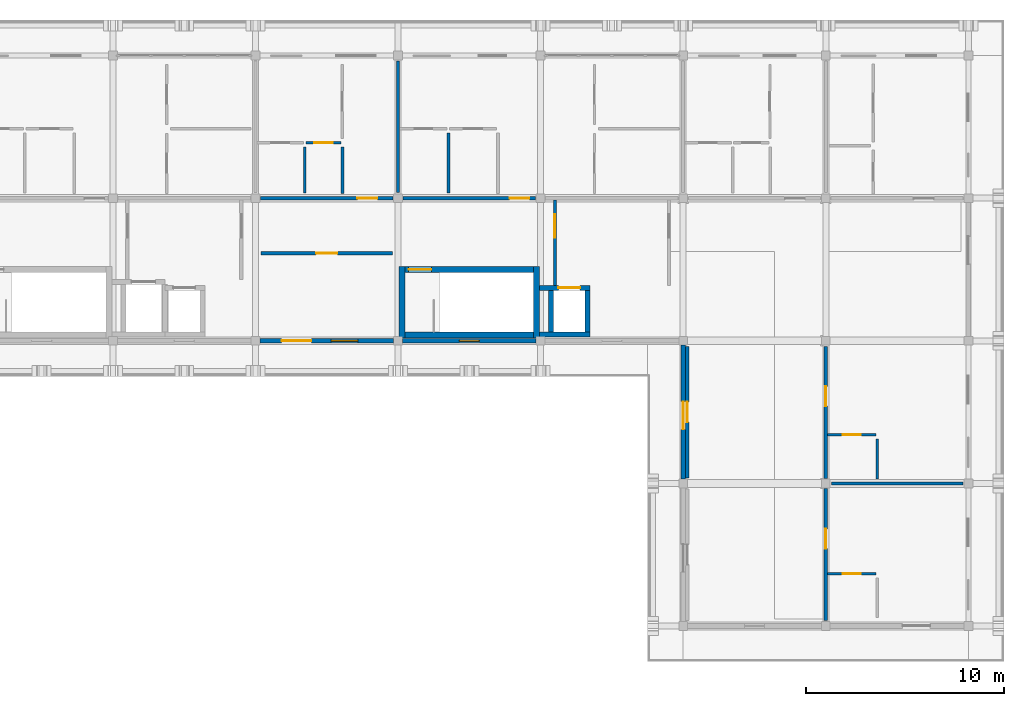
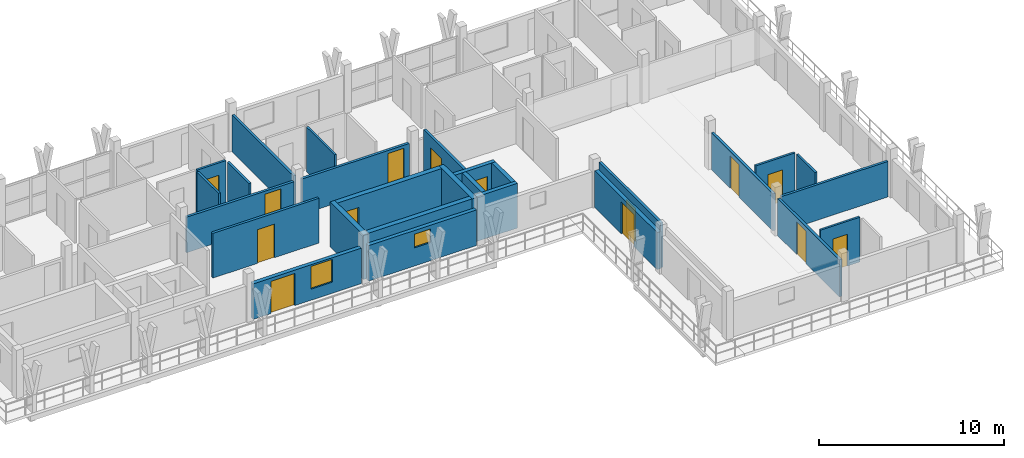
# One storey, part 24 of 32: 27 walls, 14 doors, 2 windows, 16 openings.
"""IFC4 building model written with IfcOpenShell, lengths in metres."""

from ifc_helpers import new_model, si_unit, direction, frame, frame_2d, origin, place, context, subcontext, project, spatial, rectangle, extrude, material, layer, layer_set, type_object, element, fill, save


model = new_model("IFC4")

# Units and contexts
model_context = context("Model", 3, precision=1e-05, world=origin(), true_north=direction((0.0, 1.0)))
body_context = subcontext(model_context, "Body", "Model", "MODEL_VIEW")
ifc_project = project(units=[si_unit("LENGTHUNIT", "METRE"), si_unit("AREAUNIT", "SQUARE_METRE"), si_unit("VOLUMEUNIT", "CUBIC_METRE"), si_unit("PLANEANGLEUNIT", "RADIAN"), si_unit("MASSUNIT", "GRAM", prefix="KILO")], contexts=[model_context])

# Site, building, storey
site_placement = place(None, origin())
site = spatial("IfcSite", under=ifc_project, at=site_placement, CompositionType="ELEMENT")
building_placement = place(site_placement, origin())
building = spatial("IfcBuilding", under=site, at=building_placement, Name="Suanplinth Sawtooth Commons", CompositionType="ELEMENT")
storey_placement = place(building_placement, frame((0.0, 0.0, 41.199951171875)))
storey = spatial("IfcBuildingStorey", under=building, at=storey_placement, Name="L12", CompositionType="ELEMENT", Elevation=41.199951171875)

# Wall
ifc_material_1 = material(Name="Concrete C40/50", Category="concrete")
ifc_layer_1 = layer(ifc_material_1, 0.300048828125, Name="Standard RC stair and lift core wall 300mm")
ifc_layer_set_1 = layer_set([ifc_layer_1], Name="Concrete C40/50")
wall_type_1 = type_object("IfcWallType", Name="W-CR02", PredefinedType="SHEAR", material=ifc_layer_set_1)
wall_1_placement = place(storey_placement, frame((158.75, 108.300048828125, 0.0), z_axis=(0.0, 0.0, 1.0), x_axis=(1.0, 0.0, 0.0)))
element("IfcWall", 1, at=wall_1_placement, inside=storey, type_object=wall_type_1, Name="W-L12-C-B2-STS", PredefinedType="SHEAR", context=body_context, shape_type="SweptSolid", body=[
    extrude(rectangle(XDim=6.5, YDim=0.300048828125, at=frame_2d((3.25, 0.0))), origin(), (0.0, 0.0, 1.0), 2.949951171875),
])

# Wall, opening, door
wall_2_placement = place(storey_placement, frame((158.75, 111.60009765625, 0.0), z_axis=(0.0, 0.0, 1.0), x_axis=(1.0, 0.0, 0.0)))
wall_2 = element("IfcWall", 2, at=wall_2_placement, inside=storey, type_object=wall_type_1, Name="W-L12-C-B2-STN", PredefinedType="SHEAR", context=body_context, shape_type="SweptSolid", body=[
    extrude(rectangle(XDim=6.5, YDim=0.300048828125, at=frame_2d((3.25, 0.0))), origin(), (0.0, 0.0, 1.0), 2.949951171875),
])
opening_1_placement = place(wall_2_placement, frame((0.179931640625, 0.0, 0.0)))
opening_1 = element("IfcOpeningElement", 3, at=opening_1_placement, cuts=wall_2, Name="Opening FD0272", PredefinedType="OPENING", context=body_context, shape_type="SweptSolid", body=[
    extrude(rectangle(XDim=1.14990234375, YDim=2.199951171875, at=frame_2d((0.574951171875, 1.10009765625))), frame((0.0, 0.1650390625, 0.0), z_axis=(0.0, -1.0, 0.0), x_axis=(1.0, 0.0, 0.0)), (0.0, 0.0, 1.0), 0.329833984375),
])
ifc_material_2 = material(Name="Teak hardwood fire-rated door assembly", Category="wood")
door_type_1 = type_object("IfcDoorType", Name="FD-01", OperationType="NOTDEFINED", PredefinedType="DOOR", material=ifc_material_2)
door_1_placement = place(opening_1_placement, frame((1.14990234375, 0.0, 0.0), z_axis=(0.0, 0.0, 1.0), x_axis=(-1.0, 0.0, 0.0)))
door_1 = element("IfcDoor", 4, at=door_1_placement, inside=storey, type_object=door_type_1, Name="Exit Stair Fire Door FD0272", OperationType="SINGLE_SWING_RIGHT", OverallHeight=2.199951171875, OverallWidth=1.14990234375, PredefinedType="DOOR", context=body_context, shape_type="SweptSolid", body=[
    extrude(rectangle(XDim=1.14990234375, YDim=2.199951171875, at=frame_2d((0.574951171875, 1.10009765625))), frame((0.0, 0.02490234375, 0.0), z_axis=(0.0, -1.0, 0.0), x_axis=(1.0, 0.0, 0.0)), (0.0, 0.0, 1.0), 0.050048828125),
])
fill(opening_1, door_1)

# Walls
for number, where, z_axis, x_axis, name in (
    (5, (158.60009765625, 108.14990234375, 0.0), (0.0, 0.0, 1.0), (0.0, 1.0, 0.0), "W-L12-C-B2-STW"),
    (6, (165.39990234375, 108.14990234375, 0.0), (0.0, 0.0, 1.0), (0.0, 1.0, 0.0), "W-L12-C-B2-STE"),
):
    element("IfcWall", number, at=place(storey_placement, frame(where, z_axis=z_axis, x_axis=x_axis)), inside=storey, type_object=wall_type_1, Name=name, PredefinedType="SHEAR", context=body_context, shape_type="SweptSolid", body=[
        extrude(rectangle(XDim=3.60009765625, YDim=0.300048828125, at=frame_2d((1.800048828125, 0.0))), origin(), (0.0, 0.0, 1.0), 2.949951171875),
    ])

# Wall, openings, door, window
ifc_material_3 = material(Name="Precast concrete C40/50", Category="concrete")
ifc_layer_2 = layer(ifc_material_3, 0.239990234375, Name="Upper insulated precast facade wall 240mm")
ifc_layer_set_2 = layer_set([ifc_layer_2], Name="Precast concrete C40/50")
wall_type_2 = type_object("IfcWallType", Name="W-EX03", PredefinedType="ELEMENTEDWALL", material=ifc_layer_set_2)
wall_3_placement = place(storey_placement, frame((151.425048828125, 108.0, 0.0), z_axis=(0.0, 0.0, 1.0), x_axis=(1.0, 0.0, 0.0)))
wall_3 = element("IfcWall", 7, at=wall_3_placement, inside=storey, type_object=wall_type_2, Name="Facade Wall W-L12-B-S-21-15", PredefinedType="ELEMENTEDWALL", context=body_context, shape_type="SweptSolid", body=[
    extrude(rectangle(XDim=6.75, YDim=0.239990234375, at=frame_2d((3.375, 0.0))), origin(), (0.0, 0.0, 1.0), 2.344970703125),
])
opening_2_placement = place(wall_3_placement, frame((1.10009765625, 0.0, 0.0)))
opening_2 = element("IfcOpeningElement", 8, at=opening_2_placement, cuts=wall_3, Name="Opening ED0821", PredefinedType="OPENING", context=body_context, shape_type="SweptSolid", body=[
    extrude(rectangle(XDim=1.5, YDim=2.1201171875, at=frame_2d((0.75, 1.06005859375))), frame((0.0, 0.134765625, 0.0), z_axis=(0.0, -1.0, 0.0), x_axis=(1.0, 0.0, 0.0)), (0.0, 0.0, 1.0), 0.269775390625),
])
opening_3_placement = place(wall_3_placement, frame((3.60009765625, 0.0, 0.735107421875)))
opening_3 = element("IfcOpeningElement", 9, at=opening_3_placement, cuts=wall_3, Name="Opening W0906", PredefinedType="OPENING", context=body_context, shape_type="SweptSolid", body=[
    extrude(rectangle(XDim=1.35009765625, YDim=1.5, at=frame_2d((0.675048828125, 0.75))), frame((0.0, 0.134765625, 0.0), z_axis=(0.0, -1.0, 0.0), x_axis=(1.0, 0.0, 0.0)), (0.0, 0.0, 1.0), 0.269775390625),
])
ifc_material_4 = material(Name="Anodized aluminium and low-E glass", Category="aluminium")
door_type_2 = type_object("IfcDoorType", Name="SD-03", OperationType="SLIDING_TO_LEFT", PredefinedType="DOOR", material=ifc_material_4)
door_2_placement = place(opening_2_placement, frame((1.5, 0.0, 0.0), z_axis=(0.0, 0.0, 1.0), x_axis=(-1.0, 0.0, 0.0)))
door_2 = element("IfcDoor", 10, at=door_2_placement, inside=storey, type_object=door_type_2, Name="Courtyard Balcony Door L12-B-21", OperationType="SLIDING_TO_LEFT", OverallHeight=2.1201171875, OverallWidth=1.5, PredefinedType="DOOR", context=body_context, shape_type="SweptSolid", body=[
    extrude(rectangle(XDim=1.5, YDim=2.1201171875, at=frame_2d((0.75, 1.06005859375))), frame((0.0, 0.02490234375, 0.0), z_axis=(0.0, -1.0, 0.0), x_axis=(1.0, 0.0, 0.0)), (0.0, 0.0, 1.0), 0.050048828125),
])
fill(opening_2, door_2)
ifc_material_5 = material(Name="Thermally broken aluminium and low-E double glazing", Category="aluminium")
window_type_1 = type_object("IfcWindowType", Name="WN-14", PartitioningType="SINGLE_PANEL", PredefinedType="WINDOW", material=ifc_material_5)
window_1_placement = place(opening_3_placement, origin())
window_1 = element("IfcWindow", 11, at=window_1_placement, inside=storey, type_object=window_type_1, Name="Courtyard Window L12-B-21", OverallHeight=1.5, OverallWidth=1.35009765625, PartitioningType="SINGLE_PANEL", PredefinedType="WINDOW", context=body_context, shape_type="SweptSolid", body=[
    extrude(rectangle(XDim=1.35009765625, YDim=1.5, at=frame_2d((0.675048828125, 0.75))), frame((0.0, 0.030029296875, 0.0), z_axis=(0.0, -1.0, 0.0), x_axis=(1.0, 0.0, 0.0)), (0.0, 0.0, 1.0), 0.06005859375),
])
fill(opening_3, window_1)

# Wall, opening, window
wall_4_placement = place(storey_placement, frame((158.625, 108.0, 0.0), z_axis=(0.0, 0.0, 1.0), x_axis=(1.0, 0.0, 0.0)))
wall_4 = element("IfcWall", 12, at=wall_4_placement, inside=storey, type_object=wall_type_2, Name="Facade Wall W-L12-B-S-22-15", PredefinedType="ELEMENTEDWALL", context=body_context, shape_type="SweptSolid", body=[
    extrude(rectangle(XDim=6.75, YDim=0.239990234375, at=frame_2d((3.375, 0.0))), origin(), (0.0, 0.0, 1.0), 2.344970703125),
])
opening_4_placement = place(wall_4_placement, frame((2.875, 0.0, 1.199951171875)))
opening_4 = element("IfcOpeningElement", 13, at=opening_4_placement, cuts=wall_4, Name="Opening W0908", PredefinedType="OPENING", context=body_context, shape_type="SweptSolid", body=[
    extrude(rectangle(XDim=1.0, YDim=0.89990234375, at=frame_2d((0.5, 0.449951171875))), frame((0.0, 0.134765625, 0.0), z_axis=(0.0, -1.0, 0.0), x_axis=(1.0, 0.0, 0.0)), (0.0, 0.0, 1.0), 0.269775390625),
])
window_type_2 = type_object("IfcWindowType", Name="WN-12", PartitioningType="SINGLE_PANEL", PredefinedType="WINDOW", material=ifc_material_5)
window_2_placement = place(opening_4_placement, origin())
window_2 = element("IfcWindow", 14, at=window_2_placement, inside=storey, type_object=window_type_2, Name="Core Daylight Window L12-B-22-15", OverallHeight=0.89990234375, OverallWidth=1.0, PartitioningType="SINGLE_PANEL", PredefinedType="WINDOW", context=body_context, shape_type="SweptSolid", body=[
    extrude(rectangle(XDim=1.0, YDim=0.89990234375, at=frame_2d((0.5, 0.449951171875))), frame((0.0, 0.030029296875, 0.0), z_axis=(0.0, -1.0, 0.0), x_axis=(1.0, 0.0, 0.0)), (0.0, 0.0, 1.0), 0.06005859375),
])
fill(opening_4, window_2)

# Wall, opening, door
wall_5_placement = place(storey_placement, frame((172.800048828125, 101.02490234375, 0.0), z_axis=(0.0, 0.0, 1.0), x_axis=(0.0, 1.0, 0.0)))
wall_5 = element("IfcWall", 15, at=wall_5_placement, inside=storey, type_object=wall_type_2, Name="Facade Wall W-L12-B-W-24-14", PredefinedType="ELEMENTEDWALL", context=body_context, shape_type="SweptSolid", body=[
    extrude(rectangle(XDim=6.75, YDim=0.239990234375, at=frame_2d((3.375, 0.0))), origin(), (0.0, 0.0, 1.0), 2.445068359375),
])
opening_5_placement = place(wall_5_placement, frame((2.5, 0.0, 0.0)))
opening_5 = element("IfcOpeningElement", 16, at=opening_5_placement, cuts=wall_5, Name="Opening ED0825", PredefinedType="OPENING", context=body_context, shape_type="SweptSolid", body=[
    extrude(rectangle(XDim=1.39990234375, YDim=2.10009765625, at=frame_2d((0.699951171875, 1.050048828125))), frame((0.0, 0.134765625, 0.0), z_axis=(0.0, -1.0, 0.0), x_axis=(1.0, 0.0, 0.0)), (0.0, 0.0, 1.0), 0.269775390625),
])
door_type_3 = type_object("IfcDoorType", Name="SD-07", OperationType="SLIDING_TO_RIGHT", PredefinedType="DOOR", material=ifc_material_4)
door_3_placement = place(opening_5_placement, frame((1.39990234375, 0.0, 0.0), z_axis=(0.0, 0.0, 1.0), x_axis=(-1.0, 0.0, 0.0)))
door_3 = element("IfcDoor", 17, at=door_3_placement, inside=storey, type_object=door_type_3, Name="Courtyard Veranda Studio Balcony Door L12-B-14", OperationType="SLIDING_TO_RIGHT", OverallHeight=2.10009765625, OverallWidth=1.39990234375, PredefinedType="DOOR", context=body_context, shape_type="SweptSolid", body=[
    extrude(rectangle(XDim=1.39990234375, YDim=2.10009765625, at=frame_2d((0.699951171875, 1.050048828125))), frame((0.0, 0.02490234375, 0.0), z_axis=(0.0, -1.0, 0.0), x_axis=(1.0, 0.0, 0.0)), (0.0, 0.0, 1.0), 0.050048828125),
])
fill(opening_5, door_3)

ifc_layer_3 = layer(ifc_material_3, 0.159912109375, Name="Fire-rated corridor and lobby wall 160mm")
ifc_layer_set_3 = layer_set([ifc_layer_3], Name="Precast concrete C40/50")
wall_type_3 = type_object("IfcWallType", Name="W-FW01", PredefinedType="PARTITIONING", material=ifc_layer_set_3)
wall_6_placement = place(storey_placement, frame((166.320068359375, 110.800048828125, 0.0), z_axis=(0.0, 0.0, 1.0), x_axis=(0.0, 1.0, 0.0)))
wall_6 = element("IfcWall", 18, at=wall_6_placement, inside=storey, type_object=wall_type_3, Name="W-L12-C-B2-LOB-W", PredefinedType="PARTITIONING", context=body_context, shape_type="SweptSolid", body=[
    extrude(rectangle(XDim=4.320068359375, YDim=0.159912109375, at=frame_2d((2.16015625, 0.0))), origin(), (0.0, 0.0, 1.0), 2.949951171875),
])
opening_6_placement = place(wall_6_placement, frame((2.39990234375, 0.0, 0.0)))
opening_6 = element("IfcOpeningElement", 19, at=opening_6_placement, cuts=wall_6, Name="Opening FD0273", PredefinedType="OPENING", context=body_context, shape_type="SweptSolid", body=[
    extrude(rectangle(XDim=1.199951171875, YDim=2.199951171875, at=frame_2d((0.60009765625, 1.10009765625))), frame((0.0, 0.0947265625, 0.0), z_axis=(0.0, -1.0, 0.0), x_axis=(1.0, 0.0, 0.0)), (0.0, 0.0, 1.0), 0.189697265625),
])
door_type_4 = type_object("IfcDoorType", Name="FD-02", OperationType="NOTDEFINED", PredefinedType="DOOR", material=ifc_material_2)
door_4_placement = place(opening_6_placement, origin())
door_4 = element("IfcDoor", 20, at=door_4_placement, inside=storey, type_object=door_type_4, Name="Lobby Fire Door FD0273", OperationType="SINGLE_SWING_LEFT", OverallHeight=2.199951171875, OverallWidth=1.199951171875, PredefinedType="DOOR", context=body_context, shape_type="SweptSolid", body=[
    extrude(rectangle(XDim=1.199951171875, YDim=2.199951171875, at=frame_2d((0.60009765625, 1.10009765625))), frame((0.0, 0.02490234375, 0.0), z_axis=(0.0, -1.0, 0.0), x_axis=(1.0, 0.0, 0.0)), (0.0, 0.0, 1.0), 0.050048828125),
])
fill(opening_6, door_4)

wall_7_placement = place(storey_placement, frame((151.455078125, 115.199951171875, 0.0), z_axis=(0.0, 0.0, 1.0), x_axis=(1.0, 0.0, 0.0)))
wall_7 = element("IfcWall", 21, at=wall_7_placement, inside=storey, type_object=wall_type_3, Name="W-B-L12-U02-COR", PredefinedType="PARTITIONING", context=body_context, shape_type="SweptSolid", body=[
    extrude(rectangle(XDim=6.68994140625, YDim=0.159912109375, at=frame_2d((3.344970703125, 0.0))), origin(), (0.0, 0.0, 1.0), 2.344970703125),
])
opening_7_placement = place(wall_7_placement, frame((4.89501953125, 0.0, 0.0)))
opening_7 = element("IfcOpeningElement", 22, at=opening_7_placement, cuts=wall_7, Name="Opening FD2015", PredefinedType="OPENING", context=body_context, shape_type="SweptSolid", body=[
    extrude(rectangle(XDim=1.0, YDim=2.14990234375, at=frame_2d((0.5, 1.074951171875))), frame((0.0, 0.0947265625, 0.0), z_axis=(0.0, -1.0, 0.0), x_axis=(1.0, 0.0, 0.0)), (0.0, 0.0, 1.0), 0.189697265625),
])
door_type_5 = type_object("IfcDoorType", Name="FD-03", OperationType="NOTDEFINED", PredefinedType="DOOR", material=ifc_material_2)
door_5_placement = place(opening_7_placement, origin())
door_5 = element("IfcDoor", 23, at=door_5_placement, inside=storey, type_object=door_type_5, Name="Unit Entrance Door FD2015", OperationType="SINGLE_SWING_LEFT", OverallHeight=2.14990234375, OverallWidth=1.0, PredefinedType="DOOR", context=body_context, shape_type="SweptSolid", body=[
    extrude(rectangle(XDim=1.0, YDim=2.14990234375, at=frame_2d((0.5, 1.074951171875))), frame((0.0, 0.02490234375, 0.0), z_axis=(0.0, -1.0, 0.0), x_axis=(1.0, 0.0, 0.0)), (0.0, 0.0, 1.0), 0.050048828125),
])
fill(opening_7, door_5)

wall_8_placement = place(storey_placement, frame((158.655029296875, 115.199951171875, 0.0), z_axis=(0.0, 0.0, 1.0), x_axis=(1.0, 0.0, 0.0)))
wall_8 = element("IfcWall", 24, at=wall_8_placement, inside=storey, type_object=wall_type_3, Name="W-B-L12-U03-COR-S1", PredefinedType="PARTITIONING", context=body_context, shape_type="SweptSolid", body=[
    extrude(rectangle(XDim=6.68994140625, YDim=0.159912109375, at=frame_2d((3.344970703125, 0.0))), origin(), (0.0, 0.0, 1.0), 2.344970703125),
])
opening_8_placement = place(wall_8_placement, frame((5.375, 0.0, 0.0)))
opening_8 = element("IfcOpeningElement", 25, at=opening_8_placement, cuts=wall_8, Name="Opening FD2019", PredefinedType="OPENING", context=body_context, shape_type="SweptSolid", body=[
    extrude(rectangle(XDim=1.0, YDim=2.14990234375, at=frame_2d((0.5, 1.074951171875))), frame((0.0, 0.0947265625, 0.0), z_axis=(0.0, -1.0, 0.0), x_axis=(1.0, 0.0, 0.0)), (0.0, 0.0, 1.0), 0.189697265625),
])
door_6_placement = place(opening_8_placement, origin())
door_6 = element("IfcDoor", 26, at=door_6_placement, inside=storey, type_object=door_type_5, Name="Unit Entrance Door FD2019", OperationType="SINGLE_SWING_LEFT", OverallHeight=2.14990234375, OverallWidth=1.0, PredefinedType="DOOR", context=body_context, shape_type="SweptSolid", body=[
    extrude(rectangle(XDim=1.0, YDim=2.14990234375, at=frame_2d((0.5, 1.074951171875))), frame((0.0, 0.02490234375, 0.0), z_axis=(0.0, -1.0, 0.0), x_axis=(1.0, 0.0, 0.0)), (0.0, 0.0, 1.0), 0.050048828125),
])
fill(opening_8, door_6)

wall_9_placement = place(storey_placement, frame((151.47998046875, 112.419921875, 0.0), z_axis=(0.0, 0.0, 1.0), x_axis=(1.0, 0.0, 0.0)))
wall_9 = element("IfcWall", 27, at=wall_9_placement, inside=storey, type_object=wall_type_3, Name="W-B-L12-COURTROOM-16-COR", PredefinedType="PARTITIONING", context=body_context, shape_type="SweptSolid", body=[
    extrude(rectangle(XDim=6.64013671875, YDim=0.159912109375, at=frame_2d((3.320068359375, 0.0))), origin(), (0.0, 0.0, 1.0), 2.949951171875),
])
opening_9_placement = place(wall_9_placement, frame((2.780029296875, 0.0, 0.0)))
opening_9 = element("IfcOpeningElement", 28, at=opening_9_placement, cuts=wall_9, Name="Opening D2031", PredefinedType="OPENING", context=body_context, shape_type="SweptSolid", body=[
    extrude(rectangle(XDim=1.080078125, YDim=2.219970703125, at=frame_2d((0.5400390625, 1.10986328125))), frame((0.0, 0.0947265625, 0.0), z_axis=(0.0, -1.0, 0.0), x_axis=(1.0, 0.0, 0.0)), (0.0, 0.0, 1.0), 0.189697265625),
])
ifc_material_6 = material(Name="Teak hardwood", Category="wood")
door_type_6 = type_object("IfcDoorType", Name="D-17", OperationType="NOTDEFINED", PredefinedType="DOOR", material=ifc_material_6)
door_7_placement = place(opening_9_placement, frame((1.080078125, 0.0, 0.0), z_axis=(0.0, 0.0, 1.0), x_axis=(-1.0, 0.0, 0.0)))
door_7 = element("IfcDoor", 29, at=door_7_placement, inside=storey, type_object=door_type_6, Name="Study Studio Door D2031", OperationType="SINGLE_SWING_LEFT", OverallHeight=2.219970703125, OverallWidth=1.080078125, PredefinedType="DOOR", context=body_context, shape_type="SweptSolid", body=[
    extrude(rectangle(XDim=1.080078125, YDim=2.219970703125, at=frame_2d((0.5400390625, 1.10986328125))), frame((0.0, 0.02490234375, 0.0), z_axis=(0.0, -1.0, 0.0), x_axis=(1.0, 0.0, 0.0)), (0.0, 0.0, 1.0), 0.050048828125),
])
fill(opening_9, door_7)

wall_10_placement = place(storey_placement, frame((180.0, 93.8798828125, 0.0), z_axis=(0.0, 0.0, 1.0), x_axis=(0.0, 1.0, 0.0)))
wall_10 = element("IfcWall", 30, at=wall_10_placement, inside=storey, type_object=wall_type_3, Name="W-B-L12-L01-COR", PredefinedType="PARTITIONING", context=body_context, shape_type="SweptSolid", body=[
    extrude(rectangle(XDim=6.6650390625, YDim=0.159912109375, at=frame_2d((3.33251953125, 0.0))), origin(), (0.0, 0.0, 1.0), 2.445068359375),
])
opening_10_placement = place(wall_10_placement, frame((3.6201171875, 0.0, 0.0)))
opening_10 = element("IfcOpeningElement", 31, at=opening_10_placement, cuts=wall_10, Name="Opening FD2032", PredefinedType="OPENING", context=body_context, shape_type="SweptSolid", body=[
    extrude(rectangle(XDim=1.0, YDim=2.14990234375, at=frame_2d((0.5, 1.074951171875))), frame((0.0, 0.0947265625, 0.0), z_axis=(0.0, -1.0, 0.0), x_axis=(1.0, 0.0, 0.0)), (0.0, 0.0, 1.0), 0.189697265625),
])
door_8_placement = place(opening_10_placement, frame((1.0, 0.0, 0.0), z_axis=(0.0, 0.0, 1.0), x_axis=(-1.0, 0.0, 0.0)))
door_8 = element("IfcDoor", 32, at=door_8_placement, inside=storey, type_object=door_type_5, Name="Wing Unit Entrance Door FD2032", OperationType="SINGLE_SWING_RIGHT", OverallHeight=2.14990234375, OverallWidth=1.0, PredefinedType="DOOR", context=body_context, shape_type="SweptSolid", body=[
    extrude(rectangle(XDim=1.0, YDim=2.14990234375, at=frame_2d((0.5, 1.074951171875))), frame((0.0, 0.02490234375, 0.0), z_axis=(0.0, -1.0, 0.0), x_axis=(1.0, 0.0, 0.0)), (0.0, 0.0, 1.0), 0.050048828125),
])
fill(opening_10, door_8)

wall_11_placement = place(storey_placement, frame((180.0, 101.054931640625, 0.0), z_axis=(0.0, 0.0, 1.0), x_axis=(0.0, 1.0, 0.0)))
wall_11 = element("IfcWall", 33, at=wall_11_placement, inside=storey, type_object=wall_type_3, Name="W-B-L12-L02-COR", PredefinedType="PARTITIONING", context=body_context, shape_type="SweptSolid", body=[
    extrude(rectangle(XDim=6.6650390625, YDim=0.159912109375, at=frame_2d((3.33251953125, 0.0))), origin(), (0.0, 0.0, 1.0), 2.445068359375),
])
opening_11_placement = place(wall_11_placement, frame((3.64501953125, 0.0, 0.0)))
opening_11 = element("IfcOpeningElement", 34, at=opening_11_placement, cuts=wall_11, Name="Opening FD2035", PredefinedType="OPENING", context=body_context, shape_type="SweptSolid", body=[
    extrude(rectangle(XDim=1.0, YDim=2.14990234375, at=frame_2d((0.5, 1.074951171875))), frame((0.0, 0.0947265625, 0.0), z_axis=(0.0, -1.0, 0.0), x_axis=(1.0, 0.0, 0.0)), (0.0, 0.0, 1.0), 0.189697265625),
])
door_9_placement = place(opening_11_placement, frame((1.0, 0.0, 0.0), z_axis=(0.0, 0.0, 1.0), x_axis=(-1.0, 0.0, 0.0)))
door_9 = element("IfcDoor", 35, at=door_9_placement, inside=storey, type_object=door_type_5, Name="Wing Unit Entrance Door FD2035", OperationType="SINGLE_SWING_LEFT", OverallHeight=2.14990234375, OverallWidth=1.0, PredefinedType="DOOR", context=body_context, shape_type="SweptSolid", body=[
    extrude(rectangle(XDim=1.0, YDim=2.14990234375, at=frame_2d((0.5, 1.074951171875))), frame((0.0, 0.02490234375, 0.0), z_axis=(0.0, -1.0, 0.0), x_axis=(1.0, 0.0, 0.0)), (0.0, 0.0, 1.0), 0.050048828125),
])
fill(opening_11, door_9)

wall_12_placement = place(storey_placement, frame((173.0, 101.080078125, 0.0), z_axis=(0.0, 0.0, 1.0), x_axis=(0.0, 1.0, 0.0)))
wall_12 = element("IfcWall", 36, at=wall_12_placement, inside=storey, type_object=wall_type_3, Name="W-B-L12-LEGCOURTROOM-20-COR", PredefinedType="PARTITIONING", context=body_context, shape_type="SweptSolid", body=[
    extrude(rectangle(XDim=6.639892578125, YDim=0.159912109375, at=frame_2d((3.31982421875, 0.0))), origin(), (0.0, 0.0, 1.0), 2.949951171875),
])
opening_12_placement = place(wall_12_placement, frame((2.81005859375, 0.0, 0.0)))
opening_12 = element("IfcOpeningElement", 37, at=opening_12_placement, cuts=wall_12, Name="Opening D2037", PredefinedType="OPENING", context=body_context, shape_type="SweptSolid", body=[
    extrude(rectangle(XDim=1.02001953125, YDim=2.179931640625, at=frame_2d((0.510009765625, 1.08984375))), frame((0.0, 0.0947265625, 0.0), z_axis=(0.0, -1.0, 0.0), x_axis=(1.0, 0.0, 0.0)), (0.0, 0.0, 1.0), 0.189697265625),
])
door_type_7 = type_object("IfcDoorType", Name="D-16", OperationType="NOTDEFINED", PredefinedType="DOOR", material=ifc_material_6)
door_10_placement = place(opening_12_placement, origin())
door_10 = element("IfcDoor", 38, at=door_10_placement, inside=storey, type_object=door_type_7, Name="Veranda Studio Door D2037", OperationType="SINGLE_SWING_LEFT", OverallHeight=2.179931640625, OverallWidth=1.02001953125, PredefinedType="DOOR", context=body_context, shape_type="SweptSolid", body=[
    extrude(rectangle(XDim=1.02001953125, YDim=2.179931640625, at=frame_2d((0.510009765625, 1.08984375))), frame((0.0, 0.02490234375, 0.0), z_axis=(0.0, -1.0, 0.0), x_axis=(1.0, 0.0, 0.0)), (0.0, 0.0, 1.0), 0.050048828125),
])
fill(opening_12, door_10)

# Walls
ifc_layer_4 = layer(ifc_material_3, 0.14990234375, Name="Acoustic precast party demising wall 150mm")
ifc_layer_set_4 = layer_set([ifc_layer_4], Name="Precast concrete C40/50")
wall_type_4 = type_object("IfcWallType", Name="W-FW02", PredefinedType="PARTITIONING", material=ifc_layer_set_4)
wall_13_placement = place(storey_placement, frame((158.39990234375, 115.47998046875, 0.0), z_axis=(0.0, 0.0, 1.0), x_axis=(0.0, 1.0, 0.0)))
element("IfcWall", 39, at=wall_13_placement, inside=storey, type_object=wall_type_4, Name="W-B-L12-U02-PTY", PredefinedType="PARTITIONING", context=body_context, shape_type="SweptSolid", body=[
    extrude(rectangle(XDim=6.64013671875, YDim=0.14990234375, at=frame_2d((3.320068359375, 0.0))), origin(), (0.0, 0.0, 1.0), 2.445068359375),
])
wall_14_placement = place(storey_placement, frame((180.280029296875, 100.800048828125, 0.0), z_axis=(0.0, 0.0, 1.0), x_axis=(1.0, 0.0, 0.0)))
element("IfcWall", 40, at=wall_14_placement, inside=storey, type_object=wall_type_4, Name="W-B-L12-L01-PTY", PredefinedType="PARTITIONING", context=body_context, shape_type="SweptSolid", body=[
    extrude(rectangle(XDim=6.639892578125, YDim=0.14990234375, at=frame_2d((3.31982421875, 0.0))), origin(), (0.0, 0.0, 1.0), 2.344970703125),
])

# Wall, opening, door
ifc_material_7 = material(Name="Gypsum plasterboard on steel stud", Category="steel")
ifc_layer_5 = layer(ifc_material_7, 0.139892578125, Name="Fire-rated kitchen partition 140mm")
ifc_layer_set_5 = layer_set([ifc_layer_5], Name="Gypsum plasterboard on steel stud")
wall_type_5 = type_object("IfcWallType", Name="W-PT01", PredefinedType="PARTITIONING", material=ifc_layer_set_5)
wall_15_placement = place(storey_placement, frame((153.75, 118.0, 0.0), z_axis=(0.0, 0.0, 1.0), x_axis=(1.0, 0.0, 0.0)))
wall_15 = element("IfcWall", 41, at=wall_15_placement, inside=storey, type_object=wall_type_5, Name="W-B-L12-U02-KIT1", PredefinedType="PARTITIONING", context=body_context, shape_type="SweptSolid", body=[
    extrude(rectangle(XDim=1.77001953125, YDim=0.139892578125, at=frame_2d((0.885009765625, 0.0))), origin(), (0.0, 0.0, 1.0), 2.949951171875),
])
opening_13_placement = place(wall_15_placement, frame((0.419921875, 0.0, 0.0)))
opening_13 = element("IfcOpeningElement", 42, at=opening_13_placement, cuts=wall_15, Name="Opening D2017", PredefinedType="OPENING", context=body_context, shape_type="SweptSolid", body=[
    extrude(rectangle(XDim=0.929931640625, YDim=2.139892578125, at=frame_2d((0.46484375, 1.06982421875))), frame((0.0, 0.0849609375, 0.0), z_axis=(0.0, -1.0, 0.0), x_axis=(1.0, 0.0, 0.0)), (0.0, 0.0, 1.0), 0.169677734375),
])
door_type_8 = type_object("IfcDoorType", Name="D-19", OperationType="NOTDEFINED", PredefinedType="DOOR", material=ifc_material_6)
door_11_placement = place(opening_13_placement, frame((0.929931640625, 0.0, 0.0), z_axis=(0.0, 0.0, 1.0), x_axis=(-1.0, 0.0, 0.0)))
door_11 = element("IfcDoor", 43, at=door_11_placement, inside=storey, type_object=door_type_8, Name="Kitchen Door D2017", OperationType="SINGLE_SWING_LEFT", OverallHeight=2.139892578125, OverallWidth=0.929931640625, PredefinedType="DOOR", context=body_context, shape_type="SweptSolid", body=[
    extrude(rectangle(XDim=0.929931640625, YDim=2.139892578125, at=frame_2d((0.46484375, 1.06982421875))), frame((0.0, 0.02490234375, 0.0), z_axis=(0.0, -1.0, 0.0), x_axis=(1.0, 0.0, 0.0)), (0.0, 0.0, 1.0), 0.050048828125),
])
fill(opening_13, door_11)

# Walls
wall_16_placement = place(storey_placement, frame((155.590087890625, 115.429931640625, 0.0), z_axis=(0.0, 0.0, 1.0), x_axis=(0.0, 1.0, 0.0)))
element("IfcWall", 44, at=wall_16_placement, inside=storey, type_object=wall_type_5, Name="W-B-L12-U02-KIT2", PredefinedType="PARTITIONING", context=body_context, shape_type="SweptSolid", body=[
    extrude(rectangle(XDim=2.35009765625, YDim=0.139892578125, at=frame_2d((1.175048828125, 0.0))), origin(), (0.0, 0.0, 1.0), 2.949951171875),
])
ifc_layer_6 = layer(ifc_material_7, 0.1298828125, Name="Moisture-resistant bathroom partition 130mm")
ifc_layer_set_6 = layer_set([ifc_layer_6], Name="Gypsum plasterboard on steel stud")
wall_type_6 = type_object("IfcWallType", Name="W-PT02", PredefinedType="PARTITIONING", material=ifc_layer_set_6)
wall_17_placement = place(storey_placement, frame((153.695068359375, 115.4599609375, 0.0), z_axis=(0.0, 0.0, 1.0), x_axis=(0.0, 1.0, 0.0)))
element("IfcWall", 45, at=wall_17_placement, inside=storey, type_object=wall_type_6, Name="W-B-L12-U02-BTH2", PredefinedType="PARTITIONING", context=body_context, shape_type="SweptSolid", body=[
    extrude(rectangle(XDim=2.330078125, YDim=0.1298828125, at=frame_2d((1.1650390625, 0.0))), origin(), (0.0, 0.0, 1.0), 2.949951171875),
])
wall_18_placement = place(storey_placement, frame((160.945068359375, 115.4599609375, 0.0), z_axis=(0.0, 0.0, 1.0), x_axis=(0.0, 1.0, 0.0)))
element("IfcWall", 46, at=wall_18_placement, inside=storey, type_object=wall_type_6, Name="W-B-L12-U03-BTH2", PredefinedType="PARTITIONING", context=body_context, shape_type="SweptSolid", body=[
    extrude(rectangle(XDim=3.0400390625, YDim=0.1298828125, at=frame_2d((1.52001953125, 0.0))), origin(), (0.0, 0.0, 1.0), 2.949951171875),
])

# Wall, opening, door
wall_19_placement = place(storey_placement, frame((180.080078125, 96.2451171875, 0.0), z_axis=(0.0, 0.0, 1.0), x_axis=(1.0, 0.0, 0.0)))
wall_19 = element("IfcWall", 47, at=wall_19_placement, inside=storey, type_object=wall_type_6, Name="W-B-L12-L01-BTH1", PredefinedType="PARTITIONING", context=body_context, shape_type="SweptSolid", body=[
    extrude(rectangle(XDim=2.449951171875, YDim=0.1298828125, at=frame_2d((1.22509765625, 0.0))), origin(), (0.0, 0.0, 1.0), 2.949951171875),
])
opening_14_placement = place(wall_19_placement, frame((0.77490234375, 0.0, 0.0)))
opening_14 = element("IfcOpeningElement", 48, at=opening_14_placement, cuts=wall_19, Name="Opening D2033", PredefinedType="OPENING", context=body_context, shape_type="SweptSolid", body=[
    extrude(rectangle(XDim=0.89990234375, YDim=2.10009765625, at=frame_2d((0.449951171875, 1.050048828125))), frame((0.0, 0.079833984375, 0.0), z_axis=(0.0, -1.0, 0.0), x_axis=(1.0, 0.0, 0.0)), (0.0, 0.0, 1.0), 0.15966796875),
])
door_type_9 = type_object("IfcDoorType", Name="D-01", OperationType="NOTDEFINED", PredefinedType="DOOR", material=ifc_material_6)
door_12_placement = place(opening_14_placement, frame((0.89990234375, 0.0, 0.0), z_axis=(0.0, 0.0, 1.0), x_axis=(-1.0, 0.0, 0.0)))
door_12 = element("IfcDoor", 49, at=door_12_placement, inside=storey, type_object=door_type_9, Name="Bathroom Door D2033", OperationType="SINGLE_SWING_LEFT", OverallHeight=2.10009765625, OverallWidth=0.89990234375, PredefinedType="DOOR", context=body_context, shape_type="SweptSolid", body=[
    extrude(rectangle(XDim=0.89990234375, YDim=2.10009765625, at=frame_2d((0.449951171875, 1.050048828125))), frame((0.0, 0.02490234375, 0.0), z_axis=(0.0, -1.0, 0.0), x_axis=(1.0, 0.0, 0.0)), (0.0, 0.0, 1.0), 0.050048828125),
])
fill(opening_14, door_12)

wall_20_placement = place(storey_placement, frame((180.080078125, 103.2451171875, 0.0), z_axis=(0.0, 0.0, 1.0), x_axis=(1.0, 0.0, 0.0)))
wall_20 = element("IfcWall", 50, at=wall_20_placement, inside=storey, type_object=wall_type_6, Name="W-B-L12-L02-BTH1", PredefinedType="PARTITIONING", context=body_context, shape_type="SweptSolid", body=[
    extrude(rectangle(XDim=2.449951171875, YDim=0.1298828125, at=frame_2d((1.22509765625, 0.0))), origin(), (0.0, 0.0, 1.0), 2.949951171875),
])
opening_15_placement = place(wall_20_placement, frame((0.77490234375, 0.0, 0.0)))
opening_15 = element("IfcOpeningElement", 51, at=opening_15_placement, cuts=wall_20, Name="Opening D2036", PredefinedType="OPENING", context=body_context, shape_type="SweptSolid", body=[
    extrude(rectangle(XDim=0.89990234375, YDim=2.10009765625, at=frame_2d((0.449951171875, 1.050048828125))), frame((0.0, 0.079833984375, 0.0), z_axis=(0.0, -1.0, 0.0), x_axis=(1.0, 0.0, 0.0)), (0.0, 0.0, 1.0), 0.15966796875),
])
door_13_placement = place(opening_15_placement, frame((0.89990234375, 0.0, 0.0), z_axis=(0.0, 0.0, 1.0), x_axis=(-1.0, 0.0, 0.0)))
door_13 = element("IfcDoor", 52, at=door_13_placement, inside=storey, type_object=door_type_9, Name="Bathroom Door D2036", OperationType="SINGLE_SWING_RIGHT", OverallHeight=2.10009765625, OverallWidth=0.89990234375, PredefinedType="DOOR", context=body_context, shape_type="SweptSolid", body=[
    extrude(rectangle(XDim=0.89990234375, YDim=2.10009765625, at=frame_2d((0.449951171875, 1.050048828125))), frame((0.0, 0.02490234375, 0.0), z_axis=(0.0, -1.0, 0.0), x_axis=(1.0, 0.0, 0.0)), (0.0, 0.0, 1.0), 0.050048828125),
])
fill(opening_15, door_13)

# Walls
wall_21_placement = place(storey_placement, frame((182.594970703125, 101.030029296875, 0.0), z_axis=(0.0, 0.0, 1.0), x_axis=(0.0, 1.0, 0.0)))
element("IfcWall", 53, at=wall_21_placement, inside=storey, type_object=wall_type_6, Name="W-B-L12-L02-BTH2", PredefinedType="PARTITIONING", context=body_context, shape_type="SweptSolid", body=[
    extrude(rectangle(XDim=2.0, YDim=0.1298828125, at=frame_2d((1.0, 0.0))), origin(), (0.0, 0.0, 1.0), 2.949951171875),
])
ifc_layer_7 = layer(ifc_material_3, 0.25, Name="Precast structural shear wall 250mm")
ifc_layer_set_7 = layer_set([ifc_layer_7], Name="Precast concrete C40/50")
wall_type_7 = type_object("IfcWallType", Name="W-SH01", PredefinedType="SHEAR", material=ifc_layer_set_7)
wall_22_placement = place(storey_placement, frame((165.550048828125, 108.324951171875, 0.0), z_axis=(0.0, 0.0, 1.0), x_axis=(1.0, 0.0, 0.0)))
element("IfcWall", 54, at=wall_22_placement, inside=storey, type_object=wall_type_7, Name="W-L12-LF4-S", PredefinedType="SHEAR", context=body_context, shape_type="SweptSolid", body=[
    extrude(rectangle(XDim=2.550048828125, YDim=0.25, at=frame_2d((1.27490234375, 0.0))), origin(), (0.0, 0.0, 1.0), 2.949951171875),
])

# Wall, opening, door
wall_23_placement = place(storey_placement, frame((165.550048828125, 110.675048828125, 0.0), z_axis=(0.0, 0.0, 1.0), x_axis=(1.0, 0.0, 0.0)))
wall_23 = element("IfcWall", 55, at=wall_23_placement, inside=storey, type_object=wall_type_7, Name="W-L12-LF4-N", PredefinedType="SHEAR", context=body_context, shape_type="SweptSolid", body=[
    extrude(rectangle(XDim=2.550048828125, YDim=0.25, at=frame_2d((1.27490234375, 0.0))), origin(), (0.0, 0.0, 1.0), 2.949951171875),
])
opening_16_placement = place(wall_23_placement, frame((0.949951171875, 0.0, 0.0)))
opening_16 = element("IfcOpeningElement", 56, at=opening_16_placement, cuts=wall_23, Name="Opening LD0275", PredefinedType="OPENING", context=body_context, shape_type="SweptSolid", body=[
    extrude(rectangle(XDim=1.10009765625, YDim=2.14990234375, at=frame_2d((0.550048828125, 1.074951171875))), frame((0.0, 0.139892578125, 0.0), z_axis=(0.0, -1.0, 0.0), x_axis=(1.0, 0.0, 0.0)), (0.0, 0.0, 1.0), 0.27978515625),
])
ifc_material_8 = material(Name="Stainless steel Grade 304", Category="steel")
door_type_10 = type_object("IfcDoorType", Name="LD-01", OperationType="SLIDING_TO_LEFT", PredefinedType="DOOR", material=ifc_material_8)
door_14_placement = place(opening_16_placement, origin())
door_14 = element("IfcDoor", 57, at=door_14_placement, inside=storey, type_object=door_type_10, Name="Lift Landing Sliding Door LF4 L12", OperationType="SLIDING_TO_LEFT", OverallHeight=2.14990234375, OverallWidth=1.10009765625, PredefinedType="DOOR", context=body_context, shape_type="SweptSolid", body=[
    extrude(rectangle(XDim=1.10009765625, YDim=2.14990234375, at=frame_2d((0.550048828125, 1.074951171875))), frame((0.0, 0.02490234375, 0.0), z_axis=(0.0, -1.0, 0.0), x_axis=(1.0, 0.0, 0.0)), (0.0, 0.0, 1.0), 0.050048828125),
])
fill(opening_16, door_14)

# Walls
for number, where, z_axis, x_axis, name in (
    (58, (166.125, 108.449951171875, 0.0), (0.0, 0.0, 1.0), (0.0, 1.0, 0.0), "W-L12-LF4-W"),
    (59, (167.97509765625, 108.449951171875, 0.0), (0.0, 0.0, 1.0), (0.0, 1.0, 0.0), "W-L12-LF4-E"),
):
    element("IfcWall", number, at=place(storey_placement, frame(where, z_axis=z_axis, x_axis=x_axis)), inside=storey, type_object=wall_type_7, Name=name, PredefinedType="SHEAR", context=body_context, shape_type="SweptSolid", body=[
        extrude(rectangle(XDim=2.10009765625, YDim=0.25, at=frame_2d((1.050048828125, 0.0))), origin(), (0.0, 0.0, 1.0), 2.949951171875),
    ])

save(model, "model.ifc")
